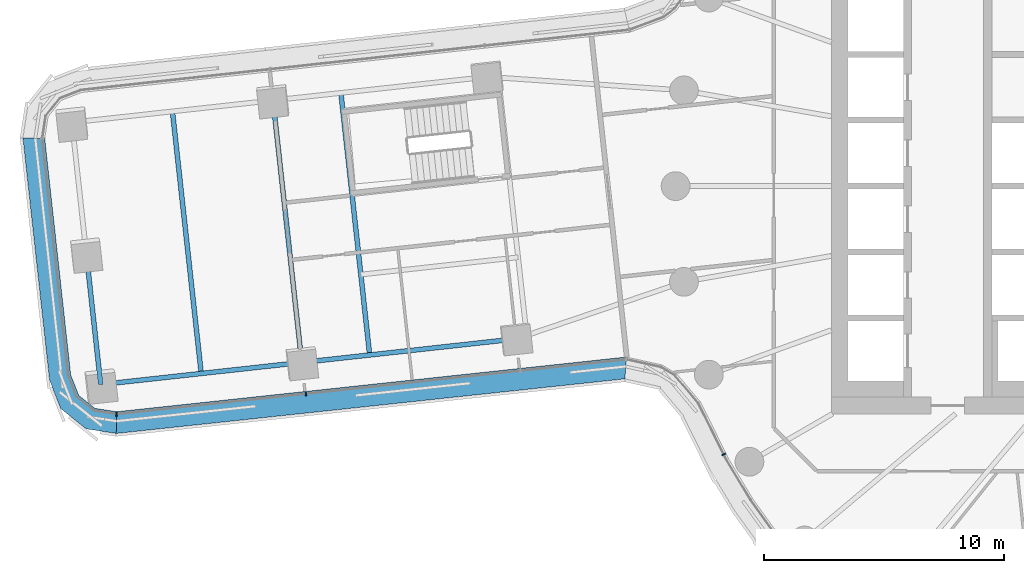
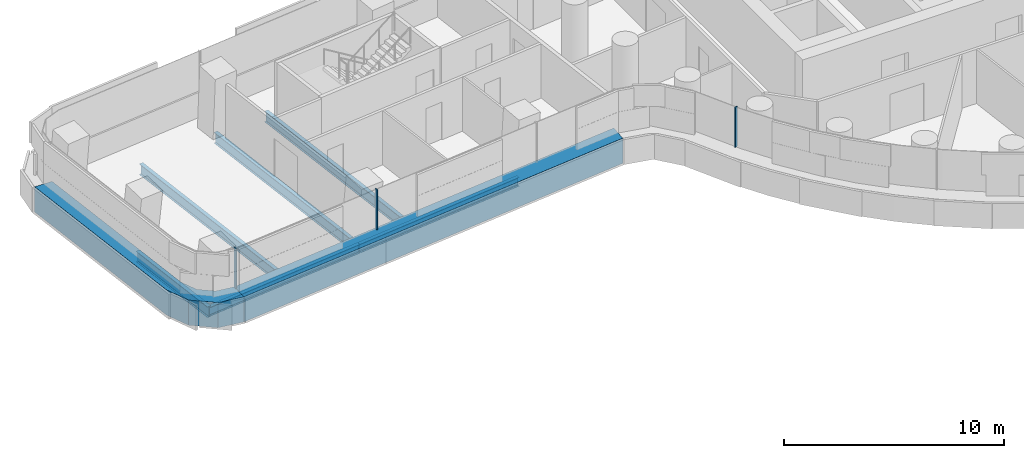
# One storey, part 4 of 31: 6 beams, 5 members, 3 elements without a shape of their own.
"""IFC4 building model written with IfcOpenShell, lengths in metres."""

from ifc_helpers import new_model, si_unit, direction, frame, origin, origin_2d, place, context, subcontext, project, spatial, polyline, rectangle, i_section, outline, extrude, material, layer, layer_set, material_profile, profile_set, type_object, element, aggregate, save


model = new_model("IFC4")

# Units and contexts
model_context = context("Model", 3, precision=1e-05, world=origin(), true_north=direction((0.0, 1.0)))
body_context = subcontext(model_context, "Body", "Model", "MODEL_VIEW")
ifc_project = project(units=[si_unit("LENGTHUNIT", "METRE"), si_unit("AREAUNIT", "SQUARE_METRE"), si_unit("VOLUMEUNIT", "CUBIC_METRE"), si_unit("PLANEANGLEUNIT", "RADIAN"), si_unit("MASSUNIT", "GRAM", prefix="KILO")], contexts=[model_context])

# Site, building, storey
site_placement = place(None, origin())
site = spatial("IfcSite", under=ifc_project, at=site_placement, CompositionType="ELEMENT")
building_placement = place(site_placement, origin())
building = spatial("IfcBuilding", under=site, at=building_placement, Name="Tamarind Cross Interchange Tower", CompositionType="ELEMENT")
storey_placement = place(building_placement, frame((0.0, 0.0, 56.5)))
storey = spatial("IfcBuildingStorey", under=building, at=storey_placement, Name="L12", CompositionType="ELEMENT", Elevation=56.5)

# Beams
ifc_material_1 = material(Name="Steel Q355B", Category="steel")
ifc_material_profile_1 = material_profile(ifc_material_1, i_section(OverallWidth=0.198974609375, OverallDepth=0.49609375, WebThickness=0.009033203125, FlangeThickness=0.013916015625, FilletRadius=0.012939453125, at=origin_2d()), Name="HN 496x199x9x14")
ifc_profile_set_1 = profile_set([ifc_material_profile_1], Name="Steel Q355B")
beam_type_1 = type_object("IfcBeamType", Name="Composite beam HN 496x199x9x14 Q355B", PredefinedType="BEAM", material=ifc_profile_set_1)
beam_1_placement = place(storey_placement, frame((-46.985107421875, -8.277587890625, -0.387939453125), z_axis=(0.994022640289, 0.109174129691, 0.0), x_axis=(-0.109174129691, 0.994022640289, 0.0)))
element("IfcBeam", 1, at=beam_1_placement, inside=storey, type_object=beam_type_1, Name="Beam W-edgeep2", PredefinedType="BEAM", context=body_context, shape_type="SweptSolid", body=[
    extrude(i_section(OverallWidth=0.198974609375, OverallDepth=0.49609375, WebThickness=0.009033203125, FlangeThickness=0.013916015625, FilletRadius=0.012939453125, at=origin_2d()), origin(), (0.0, 0.0, 1.0), 8.439697265625),
])
beam_2_placement = place(storey_placement, frame((-38.595947265625, -7.356201171875, -0.387939453125), z_axis=(0.994021237917, 0.109186897432, 0.0), x_axis=(-0.109186897432, 0.994021237917, 0.0)))
element("IfcBeam", 2, at=beam_2_placement, inside=storey, type_object=beam_type_1, Name="Beam W-edgeep3", PredefinedType="BEAM", context=body_context, shape_type="SweptSolid", body=[
    extrude(i_section(OverallWidth=0.198974609375, OverallDepth=0.49609375, WebThickness=0.009033203125, FlangeThickness=0.013916015625, FilletRadius=0.012939453125, at=origin_2d()), origin(), (0.0, 0.0, 1.0), 8.999755859375),
])
ifc_material_profile_2 = material_profile(ifc_material_1, i_section(OverallWidth=0.199951171875, OverallDepth=0.60009765625, WebThickness=0.010986328125, FlangeThickness=0.01708984375, FilletRadius=0.012939453125, at=origin_2d()), Name="HN 600x200x11x17")
ifc_profile_set_2 = profile_set([ifc_material_profile_2], Name="Steel Q355B")
beam_type_2 = type_object("IfcBeamType", Name="Composite beam HN 600x200x11x17 Q355B", PredefinedType="BEAM", material=ifc_profile_set_2)
beam_3_placement = place(storey_placement, frame((-47.585693359375, -2.810546875, -0.43994140625), z_axis=(0.109198813257, -0.994019928967, 0.0), x_axis=(0.994019928967, 0.109198813257, 0.0)))
element("IfcBeam", 3, at=beam_3_placement, inside=storey, type_object=beam_type_2, Name="Beam W-tip1", PredefinedType="BEAM", context=body_context, shape_type="SweptSolid", body=[
    extrude(i_section(OverallWidth=0.199951171875, OverallDepth=0.60009765625, WebThickness=0.010986328125, FlangeThickness=0.01708984375, FilletRadius=0.012939453125, at=origin_2d()), origin(), (0.0, 0.0, 1.0), 5.5),
])
beam_4_placement = place(storey_placement, frame((-36.964111328125, 3.88916015625, -0.43994140625), z_axis=(0.109198813257, -0.994019928967, 0.0), x_axis=(0.994019928967, 0.109198813257, 0.0)))
element("IfcBeam", 4, at=beam_4_placement, inside=storey, type_object=beam_type_2, Name="Beam W-x364", PredefinedType="BEAM", context=body_context, shape_type="SweptSolid", body=[
    extrude(i_section(OverallWidth=0.199951171875, OverallDepth=0.60009765625, WebThickness=0.010986328125, FlangeThickness=0.01708984375, FilletRadius=0.012939453125, at=origin_2d()), origin(), (0.0, 0.0, 1.0), 10.999755859375),
])
beam_5_placement = place(storey_placement, frame((-39.797119140625, 3.578125, -0.43994140625), z_axis=(0.109196404149, -0.994020193618, 0.0), x_axis=(0.994020193618, 0.109196404149, 0.0)))
element("IfcBeam", 5, at=beam_5_placement, inside=storey, type_object=beam_type_2, Name="Beam W-x393", PredefinedType="BEAM", context=body_context, shape_type="SweptSolid", body=[
    extrude(i_section(OverallWidth=0.199951171875, OverallDepth=0.60009765625, WebThickness=0.010986328125, FlangeThickness=0.01708984375, FilletRadius=0.012939453125, at=origin_2d()), origin(), (0.0, 0.0, 1.0), 11.0),
])
beam_6_placement = place(storey_placement, frame((-43.99169921875, 3.1171875, -0.43994140625), z_axis=(0.109198813257, -0.994019928967, 0.0), x_axis=(0.994019928967, 0.109198813257, 0.0)))
element("IfcBeam", 6, at=beam_6_placement, inside=storey, type_object=beam_type_2, Name="Beam W-x435", PredefinedType="BEAM", context=body_context, shape_type="SweptSolid", body=[
    extrude(i_section(OverallWidth=0.199951171875, OverallDepth=0.60009765625, WebThickness=0.010986328125, FlangeThickness=0.01708984375, FilletRadius=0.012939453125, at=origin_2d()), origin(), (0.0, 0.0, 1.0), 10.999755859375),
])

# Curtain wall, member
ifc_material_2 = material(Name="Aluminium 6063-T6", Category="aluminium")
ifc_layer = layer(ifc_material_2, 0.159912109375)
ifc_layer_set = layer_set([ifc_layer], Name="Aluminium 6063-T6")
curtain_wall_type = type_object("IfcCurtainWallType", Name="Office curtain wall, 9.0 m bays", PredefinedType="NOTDEFINED", material=ifc_layer_set)
curtain_wall_1_placement = place(storey_placement, origin())
curtain_wall_1 = element("IfcCurtainWall", 7, at=curtain_wall_1_placement, inside=storey, type_object=curtain_wall_type, Name="CWS-L12-08", PredefinedType="NOTDEFINED")
ifc_material_3 = material(Name="Aluminium and insulated spandrel panel", Category="aluminium")
member_type_1 = type_object("IfcMemberType", Name="Floor-edge blade transom", PredefinedType="USERDEFINED", material=ifc_material_3)
member_1_placement = place(storey_placement, origin())
member_1 = element("IfcMember", 8, at=member_1_placement, type_object=member_type_1, Name="CWT-L12-08", ObjectType="TRANSOM", PredefinedType="USERDEFINED", context=body_context, shape_type="SweptSolid", body=[
    extrude(outline(polyline([(-49.320068359375, 1.9892578125), (-48.23681640625, -7.87255859375), (-47.90478515625, -8.7255859375), (-47.22265625, -9.272705078125), (-46.3173828125, -9.41162109375), (-46.338134765625, -10.319091796875), (-47.59765625, -10.125732421875), (-48.656005859375, -9.276611328125), (-49.118408203125, -8.088623046875), (-50.227783203125, 2.0087890625), (-49.320068359375, 1.9892578125)])), origin(), (0.0, 0.0, 1.0), 1.39990234375),
])
aggregate(curtain_wall_1, [member_1])

# Curtain wall, members
curtain_wall_2_placement = place(storey_placement, origin())
curtain_wall_2 = element("IfcCurtainWall", 9, at=curtain_wall_2_placement, inside=storey, type_object=curtain_wall_type, Name="CWS-L12-09", PredefinedType="NOTDEFINED")
member_2_placement = place(storey_placement, origin())
member_2 = element("IfcMember", 10, at=member_2_placement, type_object=member_type_1, Name="CWT-L12-09", ObjectType="TRANSOM", PredefinedType="USERDEFINED", context=body_context, shape_type="SweptSolid", body=[
    extrude(outline(polyline([(-46.3173828125, -9.41162109375), (-25.061279296875, -7.129638671875), (-25.111572265625, -8.040283203125), (-46.338134765625, -10.319091796875), (-46.3173828125, -9.41162109375)])), origin(), (0.0, 0.0, 1.0), 1.39990234375),
])
ifc_material_profile_3 = material_profile(ifc_material_2, rectangle(XDim=0.06005859375, YDim=0.159912109375, at=origin_2d()), Name="Mullion CW1")
ifc_profile_set_3 = profile_set([ifc_material_profile_3], Name="Aluminium 6063-T6")
member_type_2 = type_object("IfcMemberType", Name="Mullion CW1", PredefinedType="MULLION", material=ifc_profile_set_3)
member_3_placement = place(storey_placement, frame((-46.31982421875, -9.512451171875, 1.39990234375), z_axis=(0.0, 0.0, 1.0), x_axis=(0.999741902601, -0.022718454701, 0.0)))
member_3 = element("IfcMember", 11, at=member_3_placement, type_object=member_type_2, Name="CWM-L12-09-00", PredefinedType="MULLION", context=body_context, shape_type="SweptSolid", body=[
    extrude(rectangle(XDim=0.06005859375, YDim=0.159912109375, at=origin_2d()), origin(), (0.0, 0.0, 1.0), 2.210205078125),
])
member_4_placement = place(storey_placement, frame((-38.423095703125, -8.664794921875, 1.39990234375), z_axis=(0.0, 0.0, 1.0), x_axis=(0.994286578986, 0.106743612679, 0.0)))
member_4 = element("IfcMember", 12, at=member_4_placement, type_object=member_type_2, Name="CWM-L12-09-01", PredefinedType="MULLION", context=body_context, shape_type="SweptSolid", body=[
    extrude(rectangle(XDim=0.06005859375, YDim=0.159912109375, at=origin_2d()), origin(), (0.0, 0.0, 1.0), 2.210205078125),
])
aggregate(curtain_wall_2, [member_3, member_4, member_2])

# Curtain wall, member
curtain_wall_3_placement = place(storey_placement, origin())
curtain_wall_3 = element("IfcCurtainWall", 13, at=curtain_wall_3_placement, inside=storey, type_object=curtain_wall_type, Name="CWS-L12-10", PredefinedType="NOTDEFINED")
member_5_placement = place(storey_placement, frame((-20.98876953125, -11.193115234375, 1.39990234375), z_axis=(0.0, 0.0, 1.0), x_axis=(0.443058811505, -0.896492548518, 0.0)))
member_5 = element("IfcMember", 14, at=member_5_placement, type_object=member_type_2, Name="CWM-L12-10-01", PredefinedType="MULLION", context=body_context, shape_type="SweptSolid", body=[
    extrude(rectangle(XDim=0.06005859375, YDim=0.159912109375, at=origin_2d()), origin(), (0.0, 0.0, 1.0), 2.210205078125),
])
aggregate(curtain_wall_3, [member_5])

save(model, "model.ifc")
